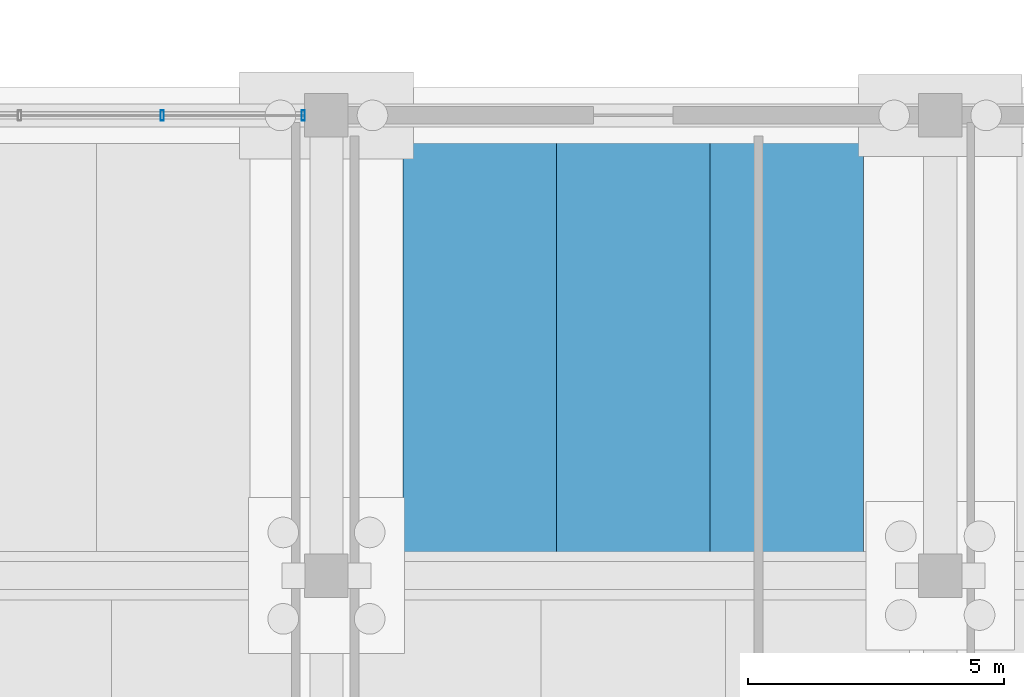
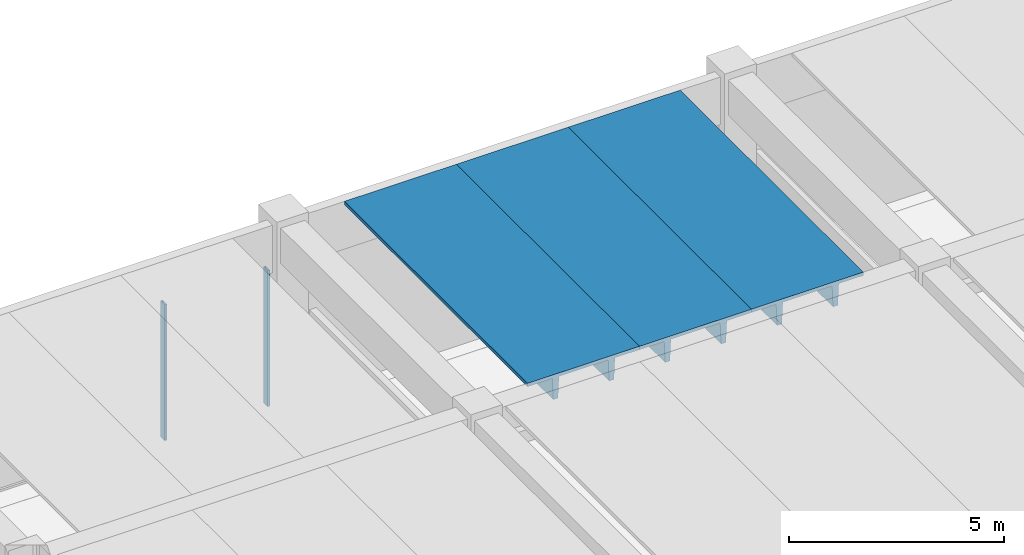
# One storey, part 17 of 59: 3 beams, 2 members, 1 element without a shape of its own.
"""IFC4 building model written with IfcOpenShell, lengths in metres."""

from ifc_helpers import new_model, si_unit, direction, frame, origin, origin_2d, place, context, subcontext, project, spatial, polyline, hollow_rectangle, outline, extrude, material, material_profile, profile_set, type_object, element, aggregate, save


model = new_model("IFC4")

# Units and contexts
model_context = context("Model", 3, precision=1e-05, world=origin(), true_north=direction((0.0, 1.0)))
body_context = subcontext(model_context, "Body", "Model", "MODEL_VIEW")
ifc_project = project(units=[si_unit("LENGTHUNIT", "METRE"), si_unit("AREAUNIT", "SQUARE_METRE"), si_unit("VOLUMEUNIT", "CUBIC_METRE"), si_unit("PLANEANGLEUNIT", "RADIAN"), si_unit("MASSUNIT", "GRAM", prefix="KILO")], contexts=[model_context])

# Site, building, storey
site_placement = place(None, origin())
site = spatial("IfcSite", under=ifc_project, at=site_placement, CompositionType="ELEMENT")
building_placement = place(site_placement, origin())
building = spatial("IfcBuilding", under=site, at=building_placement, Name="Girod Span Mobility Hub", CompositionType="ELEMENT")
storey_placement = place(building_placement, origin())
storey = spatial("IfcBuildingStorey", under=building, at=storey_placement, Name="L00", CompositionType="ELEMENT", Elevation=0.0)

# Beams
ifc_material_1 = material(Name="Concrete C50/60", Category="concrete")
ifc_material_profile_1 = material_profile(ifc_material_1, outline(polyline([(-1.5, 0.35009765625), (-1.5, 0.2548828125), (-0.840087890625, 0.2548828125), (-0.81494140625, -0.35009765625), (-0.68505859375, -0.35009765625), (-0.659912109375, 0.2548828125), (0.659912109375, 0.2548828125), (0.68505859375, -0.35009765625), (0.81494140625, -0.35009765625), (0.840087890625, 0.2548828125), (1.5, 0.2548828125), (1.5, 0.35009765625), (-1.5, 0.35009765625)])), Name="DT-3000X700")
ifc_profile_set_1 = profile_set([ifc_material_profile_1], Name="Concrete C50/60")
beam_type = type_object("IfcBeamType", Name="BM-DT-3000X700", PredefinedType="JOIST", material=ifc_profile_set_1)
for number, where, z_axis, x_axis, name in (
    (1, (75.0, 105.27197265625, 4.85009765625), (0.0, 1.0, 0.0), (-1.0, 0.0, 0.0), "Double-Tee Deck 7/H-1 L00"),
    (2, (78.0, 105.27197265625, 4.85009765625), (0.0, 1.0, 0.0), (-1.0, 0.0, 0.0), "Double-Tee Deck 7/H-2 L00"),
    (3, (81.0, 105.27197265625, 4.85009765625), (0.0, 1.0, 0.0), (-1.0, 0.0, 0.0), "Double-Tee Deck 7/H-3 L00"),
):
    element("IfcBeam", number, at=place(storey_placement, frame(where, z_axis=z_axis, x_axis=x_axis)), inside=storey, type_object=beam_type, Name=name, PredefinedType="JOIST", context=body_context, shape_type="SweptSolid", body=[
        extrude(outline(polyline([(-1.5, 0.35009765625), (-1.5, 0.2548828125), (-0.840087890625, 0.2548828125), (-0.81494140625, -0.35009765625), (-0.68505859375, -0.35009765625), (-0.659912109375, 0.2548828125), (0.659912109375, 0.2548828125), (0.68505859375, -0.35009765625), (0.81494140625, -0.35009765625), (0.840087890625, 0.2548828125), (1.5, 0.2548828125), (1.5, 0.35009765625), (-1.5, 0.35009765625)])), origin(), (0.0, 0.0, 1.0), 8.506103515625),
    ])

# Curtain wall, members
ifc_material_2 = material(Name="Thermally Broken Anodised Aluminium", Category="aluminium")
curtain_wall_type = type_object("IfcCurtainWallType", Name="CW-1115X385", PredefinedType="USERDEFINED", material=ifc_material_2)
curtain_wall_placement = place(storey_placement, origin())
curtain_wall = element("IfcCurtainWall", 4, at=curtain_wall_placement, inside=storey, type_object=curtain_wall_type, Name="Concourse Storefront CW-L00-N06 L00", ObjectType="CONCOURSE STOREFRONT", PredefinedType="USERDEFINED")
ifc_material_3 = material(Name="Thermally Broken Anodised Aluminium", Category="aluminium")
ifc_material_profile_2 = material_profile(ifc_material_3, hollow_rectangle(XDim=0.199951171875, YDim=0.06494140625, WallThickness=0.00390625, InnerFilletRadius=0.00390625, OuterFilletRadius=0.008056640625, at=origin_2d()), Name="CW-ML-65X200")
ifc_profile_set_2 = profile_set([ifc_material_profile_2], Name="Thermally Broken Anodised Aluminium")
member_type = type_object("IfcMemberType", Name="CWM-ML-1", PredefinedType="MULLION", material=ifc_profile_set_2)
member_1_placement = place(storey_placement, frame((68.78857421875, 114.0, 0.0), z_axis=(0.0, 0.0, 1.0), x_axis=(0.0, 1.0, 0.0)))
member_1 = element("IfcMember", 5, at=member_1_placement, type_object=member_type, Name="Curtain Wall Mullion CW-L00-N06-M3", PredefinedType="MULLION", context=body_context, shape_type="SweptSolid", body=[
    extrude(hollow_rectangle(XDim=0.199951171875, YDim=0.06494140625, WallThickness=0.00390625, InnerFilletRadius=0.00390625, OuterFilletRadius=0.008056640625, at=origin_2d()), origin(), (0.0, 0.0, 1.0), 3.85009765625),
])
member_2_placement = place(storey_placement, frame((71.544921875, 114.0, 0.0), z_axis=(0.0, 0.0, 1.0), x_axis=(0.0, 1.0, 0.0)))
member_2 = element("IfcMember", 6, at=member_2_placement, type_object=member_type, Name="Curtain Wall Mullion CW-L00-N06-M4", PredefinedType="MULLION", context=body_context, shape_type="SweptSolid", body=[
    extrude(hollow_rectangle(XDim=0.199951171875, YDim=0.06494140625, WallThickness=0.00390625, InnerFilletRadius=0.00390625, OuterFilletRadius=0.008056640625, at=origin_2d()), origin(), (0.0, 0.0, 1.0), 3.85009765625),
])
aggregate(curtain_wall, [member_1, member_2])

save(model, "model.ifc")
